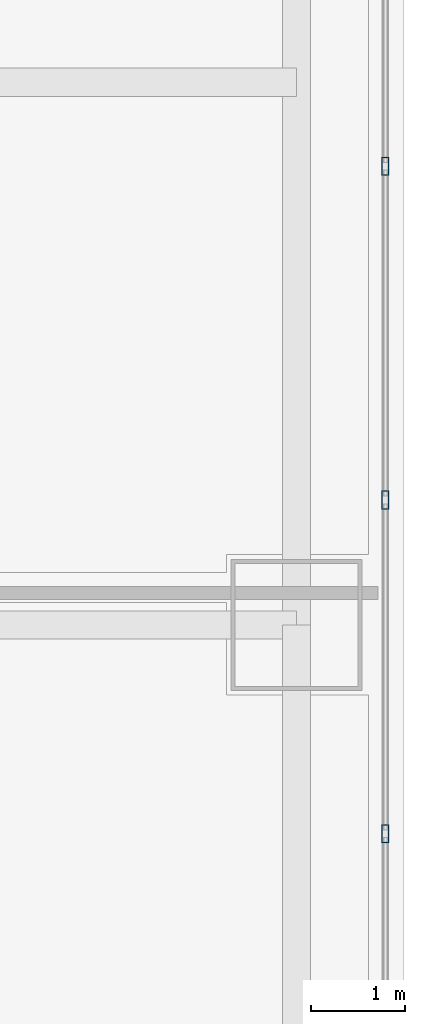
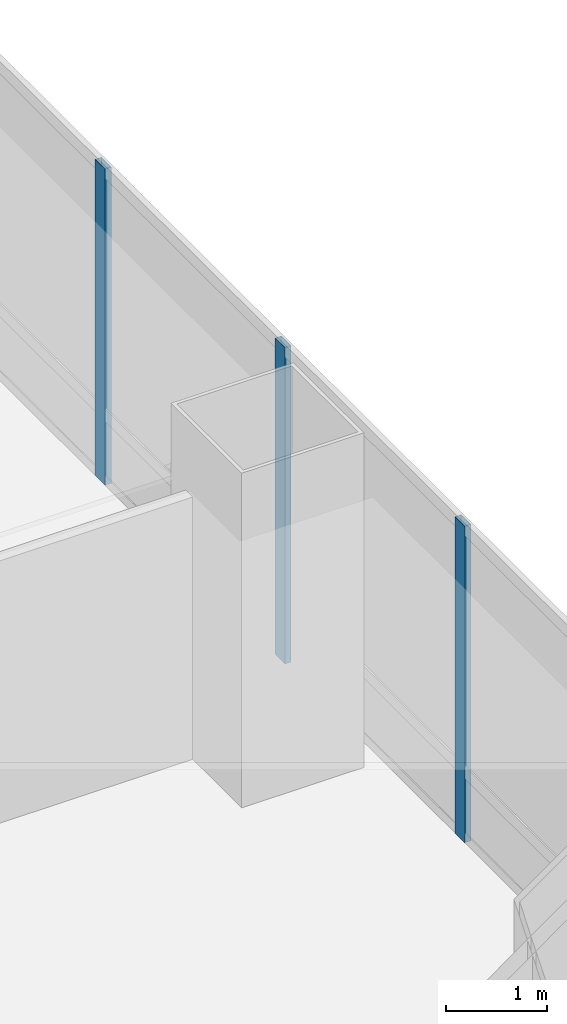
# One storey, part 17 of 37: 3 members, 1 element without a shape of its own.
"""IFC4 building model written with IfcOpenShell, lengths in metres."""

from ifc_helpers import new_model, si_unit, direction, frame, origin, origin_2d, place, context, subcontext, project, spatial, hollow_rectangle, extrude, material, material_profile, profile_set, type_object, element, aggregate, save


model = new_model("IFC4")

# Units and contexts
model_context = context("Model", 3, precision=1e-05, world=origin(), true_north=direction((0.0, 1.0)))
body_context = subcontext(model_context, "Body", "Model", "MODEL_VIEW")
ifc_project = project(units=[si_unit("LENGTHUNIT", "METRE"), si_unit("AREAUNIT", "SQUARE_METRE"), si_unit("VOLUMEUNIT", "CUBIC_METRE"), si_unit("PLANEANGLEUNIT", "RADIAN"), si_unit("MASSUNIT", "GRAM", prefix="KILO")], contexts=[model_context])

# Site, building, storey
site_placement = place(None, origin())
site = spatial("IfcSite", under=ifc_project, at=site_placement, CompositionType="ELEMENT")
building_placement = place(site_placement, origin())
building = spatial("IfcBuilding", under=site, at=building_placement, Name="Punatoya Terracotta Tower", CompositionType="ELEMENT")
storey_placement = place(building_placement, frame((0.0, 0.0, 192.449951171875)))
storey = spatial("IfcBuildingStorey", under=building, at=storey_placement, Name="L45", CompositionType="ELEMENT", Elevation=192.449951171875)

# Curtain wall, members
ifc_material_1 = material(Name="Aluminium 6063-T6 + Double Low-E Glass", Category="aluminium")
curtain_wall_type = type_object("IfcCurtainWallType", Name="CW-M2", PredefinedType="NOTDEFINED", material=ifc_material_1)
curtain_wall_placement = place(storey_placement, origin())
curtain_wall = element("IfcCurtainWall", 1, at=curtain_wall_placement, inside=storey, type_object=curtain_wall_type, Name="L45 Curtain Wall CW-L45-E05-1", PredefinedType="NOTDEFINED")
ifc_material_2 = material(Name="Aluminium 6063-T6", Category="aluminium")
ifc_material_profile = material_profile(ifc_material_2, hollow_rectangle(XDim=0.072021484375, YDim=0.195068359375, WallThickness=0.00439453125, at=origin_2d()))
ifc_profile_set = profile_set([ifc_material_profile], Name="Aluminium 6063-T6")
member_type = type_object("IfcMemberType", Name="CW-MUL-M2", PredefinedType="MULLION", material=ifc_profile_set)
member_1_placement = place(storey_placement, frame((20.050048828125, 1.16748046875, 0.0), z_axis=(0.0, 0.0, 1.0), x_axis=(1.0, 0.0, 0.0)))
member_1 = element("IfcMember", 2, at=member_1_placement, type_object=member_type, Name="CW-L45-E05-1 Mullion 06", PredefinedType="MULLION", context=body_context, shape_type="SweptSolid", body=[
    extrude(hollow_rectangle(XDim=0.072021484375, YDim=0.195068359375, WallThickness=0.00439453125, at=origin_2d()), origin(), (0.0, 0.0, 1.0), 3.830078125),
])
member_2_placement = place(storey_placement, frame((20.050048828125, 4.73486328125, 0.0), z_axis=(0.0, 0.0, 1.0), x_axis=(1.0, 0.0, 0.0)))
member_2 = element("IfcMember", 3, at=member_2_placement, type_object=member_type, Name="CW-L45-E05-1 Mullion 07", PredefinedType="MULLION", context=body_context, shape_type="SweptSolid", body=[
    extrude(hollow_rectangle(XDim=0.072021484375, YDim=0.195068359375, WallThickness=0.00439453125, at=origin_2d()), origin(), (0.0, 0.0, 1.0), 3.830078125),
])
member_3_placement = place(storey_placement, frame((20.050048828125, 8.302001953125, 0.0), z_axis=(0.0, 0.0, 1.0), x_axis=(1.0, 0.0, 0.0)))
member_3 = element("IfcMember", 4, at=member_3_placement, type_object=member_type, Name="CW-L45-E05-1 Mullion 08", PredefinedType="MULLION", context=body_context, shape_type="SweptSolid", body=[
    extrude(hollow_rectangle(XDim=0.072021484375, YDim=0.195068359375, WallThickness=0.00439453125, at=origin_2d()), origin(), (0.0, 0.0, 1.0), 3.830078125),
])
aggregate(curtain_wall, [member_1, member_2, member_3])

save(model, "model.ifc")
